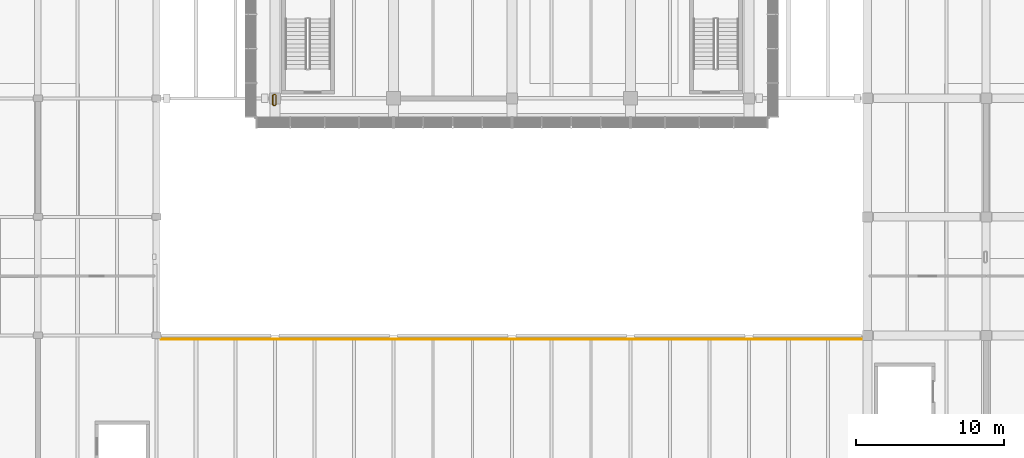
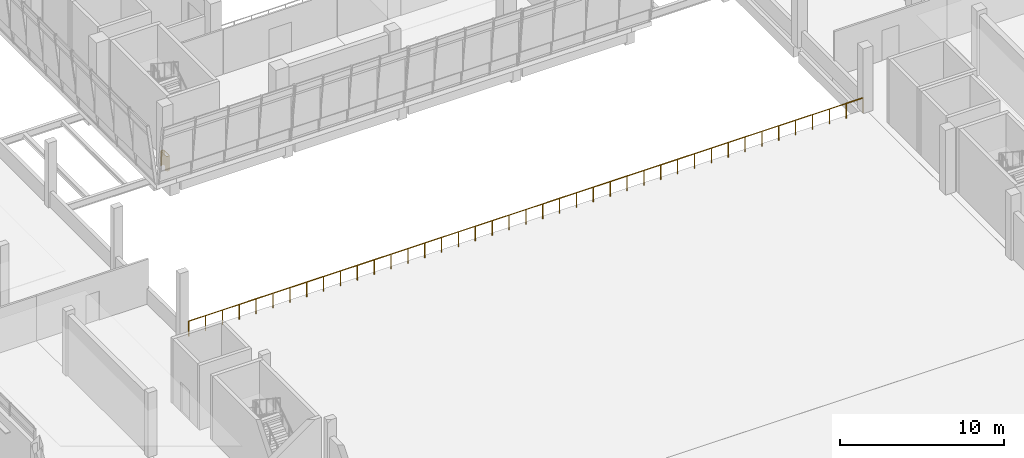
# One storey, part 44 of 52: 2 railings.
"""IFC4 building model written with IfcOpenShell, lengths in metres."""

from ifc_helpers import new_model, si_unit, direction, frame, origin, origin_2d, place, context, subcontext, project, spatial, circle, extrude, material, type_object, element, save


model = new_model("IFC4")

# Units and contexts
model_context = context("Model", 3, precision=1e-05, world=origin(), true_north=direction((0.0, 1.0)))
body_context = subcontext(model_context, "Body", "Model", "MODEL_VIEW")
ifc_project = project(units=[si_unit("LENGTHUNIT", "METRE"), si_unit("AREAUNIT", "SQUARE_METRE"), si_unit("VOLUMEUNIT", "CUBIC_METRE"), si_unit("PLANEANGLEUNIT", "RADIAN"), si_unit("MASSUNIT", "GRAM", prefix="KILO")], contexts=[model_context])

# Site, building, storey
site_placement = place(None, origin())
site = spatial("IfcSite", under=ifc_project, at=site_placement, CompositionType="ELEMENT")
building_placement = place(site_placement, origin())
building = spatial("IfcBuilding", under=site, at=building_placement, Name="Pecanmere Concourse Central Library", CompositionType="ELEMENT")
storey_placement = place(building_placement, frame((0.0, 0.0, 10.5)))
storey = spatial("IfcBuildingStorey", under=building, at=storey_placement, Name="L03", CompositionType="ELEMENT", Elevation=10.5)

# Railings
ifc_material_1 = material(Name="Architectural anodized bronze")
railing_type_1 = type_object("IfcRailingType", Name="RAIL_ATRIUM_BAL", PredefinedType="BALUSTRADE", material=ifc_material_1)
railing_1_placement = place(storey_placement, frame((71.923095703125, 90.2685546875, 0.0)))
element("IfcRailing", 1, at=railing_1_placement, inside=storey, type_object=railing_type_1, Name="Deck Edge Protective Balustrade L03-137", PredefinedType="BALUSTRADE", context=body_context, shape_type="SweptSolid", body=[
    extrude(circle(Radius=0.02392578125, at=origin_2d()), frame((0.0, 0.0, 1.09619140625), z_axis=(-0.806311430369, -0.591491231767, 0.0), x_axis=(0.591491231767, -0.806311430369, 0.0)), (0.0, 0.0, 1.0), 0.0830078125),
    extrude(circle(Radius=0.02392578125, at=origin_2d()), frame((-0.06689453125, -0.049072265625, 1.09619140625), z_axis=(-0.009489489668, -0.999954973779, 0.0), x_axis=(0.999954973779, -0.009489489668, 0.0)), (0.0, 0.0, 1.0), 0.617431640625),
    extrude(circle(Radius=0.02392578125, at=origin_2d()), frame((-0.07275390625, -0.66650390625, 1.09619140625), z_axis=(0.591491231767, -0.806311430369, 0.0), x_axis=(0.806311430369, 0.591491231767, 0.0)), (0.0, 0.0, 1.0), 0.0830078125),
    extrude(circle(Radius=0.02392578125, at=origin_2d()), frame((-0.023681640625, -0.7333984375, 1.09619140625), z_axis=(0.998195860289, -0.060041856258, 0.0), x_axis=(0.060041856258, 0.998195860289, 0.0)), (0.0, 0.0, 1.0), 0.09765625),
    extrude(circle(Radius=0.02392578125, at=origin_2d()), frame((0.07373046875, -0.7392578125, 1.09619140625), z_axis=(0.806311430369, 0.591491231767, 0.0), x_axis=(-0.591491231767, 0.806311430369, 0.0)), (0.0, 0.0, 1.0), 0.0830078125),
    extrude(circle(Radius=0.02392578125, at=origin_2d()), frame((0.140625, -0.690185546875, 1.09619140625), z_axis=(0.009489489668, 0.999954973779, 0.0), x_axis=(-0.999954973779, 0.009489489668, 0.0)), (0.0, 0.0, 1.0), 0.617431640625),
    extrude(circle(Radius=0.02392578125, at=origin_2d()), frame((0.146484375, -0.07275390625, 1.09619140625), z_axis=(-0.591491231767, 0.806311430369, 0.0), x_axis=(-0.806311430369, -0.591491231767, 0.0)), (0.0, 0.0, 1.0), 0.0830078125),
    extrude(circle(Radius=0.02392578125, at=origin_2d()), frame((0.097412109375, -0.005859375, 1.09619140625), z_axis=(-0.998195860289, 0.060041856258, 0.0), x_axis=(-0.060041856258, -0.998195860289, 0.0)), (0.0, 0.0, 1.0), 0.09765625),
    extrude(circle(Radius=0.02099609375, at=origin_2d()), origin(), (0.0, 0.0, 1.0), 1.072021484375),
    extrude(circle(Radius=0.02099609375, at=origin_2d()), frame((-0.06689453125, -0.049072265625, 0.0)), (0.0, 0.0, 1.0), 1.072021484375),
    extrude(circle(Radius=0.02099609375, at=origin_2d()), frame((-0.07275390625, -0.66650390625, 0.0)), (0.0, 0.0, 1.0), 1.072021484375),
    extrude(circle(Radius=0.02099609375, at=origin_2d()), frame((-0.023681640625, -0.7333984375, 0.0)), (0.0, 0.0, 1.0), 1.072021484375),
    extrude(circle(Radius=0.02099609375, at=origin_2d()), frame((0.07373046875, -0.7392578125, 0.0)), (0.0, 0.0, 1.0), 1.072021484375),
    extrude(circle(Radius=0.02099609375, at=origin_2d()), frame((0.140625, -0.690185546875, 0.0)), (0.0, 0.0, 1.0), 1.072021484375),
    extrude(circle(Radius=0.02099609375, at=origin_2d()), frame((0.146484375, -0.07275390625, 0.0)), (0.0, 0.0, 1.0), 1.072021484375),
    extrude(circle(Radius=0.02099609375, at=origin_2d()), frame((0.097412109375, -0.005859375, 0.0)), (0.0, 0.0, 1.0), 1.072021484375),
])
ifc_material_2 = material(Name="Architectural anodized bronze")
railing_type_2 = type_object("IfcRailingType", Name="RAIL_TERR_1120", PredefinedType="BALUSTRADE", material=ifc_material_2)
railing_2_placement = place(storey_placement, frame((64.300048828125, 73.75, 0.0)))
element("IfcRailing", 2, at=railing_2_placement, inside=storey, type_object=railing_type_2, Name="Terrace Protective Balustrade GR-001", PredefinedType="BALUSTRADE", context=body_context, shape_type="SweptSolid", body=[
    extrude(circle(Radius=0.02392578125, at=origin_2d()), frame((0.0, 0.0, 1.09619140625), z_axis=(1.0, 0.0, 0.0), x_axis=(0.0, 1.0, 0.0)), (0.0, 0.0, 1.0), 47.39990234375),
    extrude(circle(Radius=0.02099609375, at=origin_2d()), origin(), (0.0, 0.0, 1.0), 1.072021484375),
    extrude(circle(Radius=0.02099609375, at=origin_2d()), frame((1.18505859375, 0.0, 0.0)), (0.0, 0.0, 1.0), 1.072021484375),
    extrude(circle(Radius=0.02099609375, at=origin_2d()), frame((2.3701171875, 0.0, 0.0)), (0.0, 0.0, 1.0), 1.072021484375),
    extrude(circle(Radius=0.02099609375, at=origin_2d()), frame((3.554931640625, 0.0, 0.0)), (0.0, 0.0, 1.0), 1.072021484375),
    extrude(circle(Radius=0.02099609375, at=origin_2d()), frame((4.739990234375, 0.0, 0.0)), (0.0, 0.0, 1.0), 1.072021484375),
    extrude(circle(Radius=0.02099609375, at=origin_2d()), frame((5.925048828125, 0.0, 0.0)), (0.0, 0.0, 1.0), 1.072021484375),
    extrude(circle(Radius=0.02099609375, at=origin_2d()), frame((7.10986328125, 0.0, 0.0)), (0.0, 0.0, 1.0), 1.072021484375),
    extrude(circle(Radius=0.02099609375, at=origin_2d()), frame((8.294921875, 0.0, 0.0)), (0.0, 0.0, 1.0), 1.072021484375),
    extrude(circle(Radius=0.02099609375, at=origin_2d()), frame((9.47998046875, 0.0, 0.0)), (0.0, 0.0, 1.0), 1.072021484375),
    extrude(circle(Radius=0.02099609375, at=origin_2d()), frame((10.6650390625, 0.0, 0.0)), (0.0, 0.0, 1.0), 1.072021484375),
    extrude(circle(Radius=0.02099609375, at=origin_2d()), frame((11.85009765625, 0.0, 0.0)), (0.0, 0.0, 1.0), 1.072021484375),
    extrude(circle(Radius=0.02099609375, at=origin_2d()), frame((13.034912109375, 0.0, 0.0)), (0.0, 0.0, 1.0), 1.072021484375),
    extrude(circle(Radius=0.02099609375, at=origin_2d()), frame((14.219970703125, 0.0, 0.0)), (0.0, 0.0, 1.0), 1.072021484375),
    extrude(circle(Radius=0.02099609375, at=origin_2d()), frame((15.405029296875, 0.0, 0.0)), (0.0, 0.0, 1.0), 1.072021484375),
    extrude(circle(Radius=0.02099609375, at=origin_2d()), frame((16.58984375, 0.0, 0.0)), (0.0, 0.0, 1.0), 1.072021484375),
    extrude(circle(Radius=0.02099609375, at=origin_2d()), frame((17.77490234375, 0.0, 0.0)), (0.0, 0.0, 1.0), 1.072021484375),
    extrude(circle(Radius=0.02099609375, at=origin_2d()), frame((18.9599609375, 0.0, 0.0)), (0.0, 0.0, 1.0), 1.072021484375),
    extrude(circle(Radius=0.02099609375, at=origin_2d()), frame((20.14501953125, 0.0, 0.0)), (0.0, 0.0, 1.0), 1.072021484375),
    extrude(circle(Radius=0.02099609375, at=origin_2d()), frame((21.330078125, 0.0, 0.0)), (0.0, 0.0, 1.0), 1.072021484375),
    extrude(circle(Radius=0.02099609375, at=origin_2d()), frame((22.514892578125, 0.0, 0.0)), (0.0, 0.0, 1.0), 1.072021484375),
    extrude(circle(Radius=0.02099609375, at=origin_2d()), frame((23.699951171875, 0.0, 0.0)), (0.0, 0.0, 1.0), 1.072021484375),
    extrude(circle(Radius=0.02099609375, at=origin_2d()), frame((24.885009765625, 0.0, 0.0)), (0.0, 0.0, 1.0), 1.072021484375),
    extrude(circle(Radius=0.02099609375, at=origin_2d()), frame((26.070068359375, 0.0, 0.0)), (0.0, 0.0, 1.0), 1.072021484375),
    extrude(circle(Radius=0.02099609375, at=origin_2d()), frame((27.2548828125, 0.0, 0.0)), (0.0, 0.0, 1.0), 1.072021484375),
    extrude(circle(Radius=0.02099609375, at=origin_2d()), frame((28.43994140625, 0.0, 0.0)), (0.0, 0.0, 1.0), 1.072021484375),
    extrude(circle(Radius=0.02099609375, at=origin_2d()), frame((29.625, 0.0, 0.0)), (0.0, 0.0, 1.0), 1.072021484375),
    extrude(circle(Radius=0.02099609375, at=origin_2d()), frame((30.81005859375, 0.0, 0.0)), (0.0, 0.0, 1.0), 1.072021484375),
    extrude(circle(Radius=0.02099609375, at=origin_2d()), frame((31.994873046875, 0.0, 0.0)), (0.0, 0.0, 1.0), 1.072021484375),
    extrude(circle(Radius=0.02099609375, at=origin_2d()), frame((33.179931640625, 0.0, 0.0)), (0.0, 0.0, 1.0), 1.072021484375),
    extrude(circle(Radius=0.02099609375, at=origin_2d()), frame((34.364990234375, 0.0, 0.0)), (0.0, 0.0, 1.0), 1.072021484375),
    extrude(circle(Radius=0.02099609375, at=origin_2d()), frame((35.5498046875, 0.0, 0.0)), (0.0, 0.0, 1.0), 1.072021484375),
    extrude(circle(Radius=0.02099609375, at=origin_2d()), frame((36.73486328125, 0.0, 0.0)), (0.0, 0.0, 1.0), 1.072021484375),
    extrude(circle(Radius=0.02099609375, at=origin_2d()), frame((37.919921875, 0.0, 0.0)), (0.0, 0.0, 1.0), 1.072021484375),
    extrude(circle(Radius=0.02099609375, at=origin_2d()), frame((39.10498046875, 0.0, 0.0)), (0.0, 0.0, 1.0), 1.072021484375),
    extrude(circle(Radius=0.02099609375, at=origin_2d()), frame((40.2900390625, 0.0, 0.0)), (0.0, 0.0, 1.0), 1.072021484375),
    extrude(circle(Radius=0.02099609375, at=origin_2d()), frame((41.474853515625, 0.0, 0.0)), (0.0, 0.0, 1.0), 1.072021484375),
    extrude(circle(Radius=0.02099609375, at=origin_2d()), frame((42.659912109375, 0.0, 0.0)), (0.0, 0.0, 1.0), 1.072021484375),
    extrude(circle(Radius=0.02099609375, at=origin_2d()), frame((43.844970703125, 0.0, 0.0)), (0.0, 0.0, 1.0), 1.072021484375),
    extrude(circle(Radius=0.02099609375, at=origin_2d()), frame((45.02978515625, 0.0, 0.0)), (0.0, 0.0, 1.0), 1.072021484375),
    extrude(circle(Radius=0.02099609375, at=origin_2d()), frame((46.21484375, 0.0, 0.0)), (0.0, 0.0, 1.0), 1.072021484375),
    extrude(circle(Radius=0.02099609375, at=origin_2d()), frame((47.39990234375, 0.0, 0.0)), (0.0, 0.0, 1.0), 1.072021484375),
])

save(model, "model.ifc")
